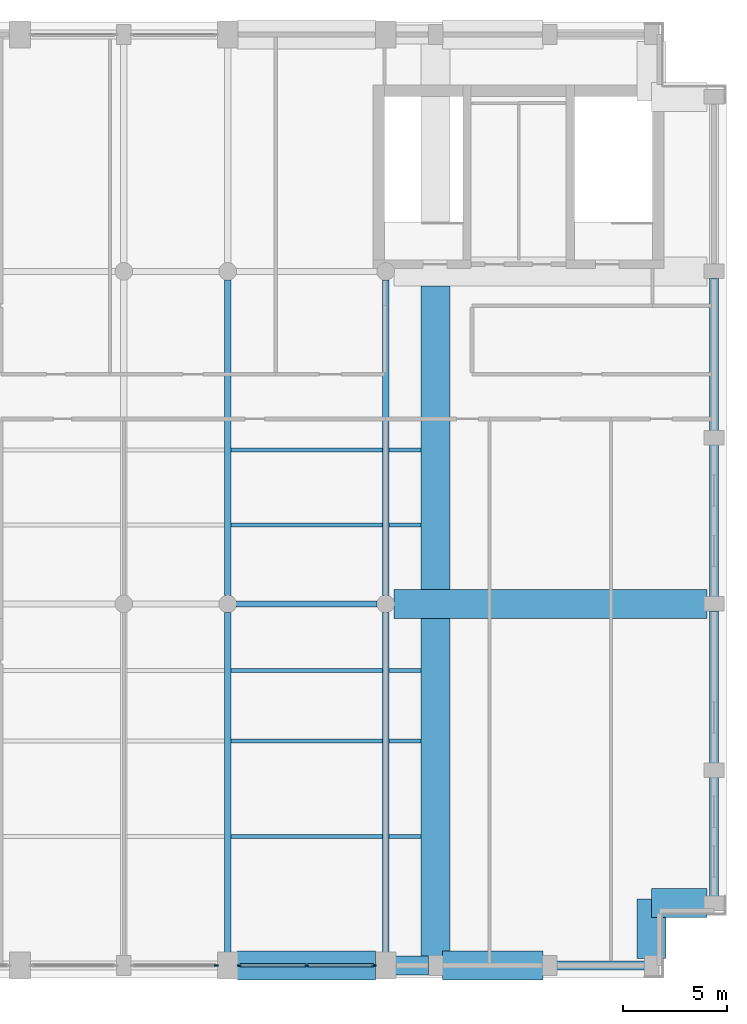
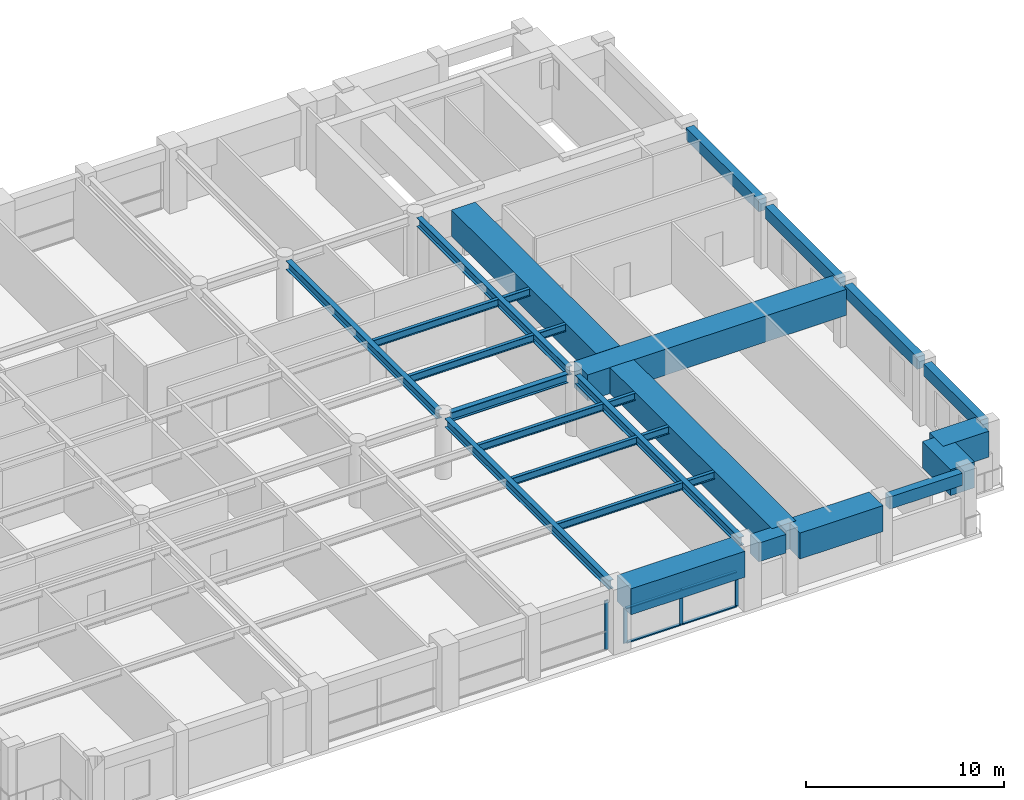
# One storey, part 4 of 14: 28 beams, 8 members, 2 elements without a shape of their own.
"""IFC4 building model written with IfcOpenShell, lengths in metres."""

from ifc_helpers import new_model, si_unit, direction, frame, origin, origin_2d, place, context, subcontext, project, spatial, rectangle, i_section, extrude, material, layer, layer_set, material_profile, profile_set, type_object, element, aggregate, save


model = new_model("IFC4")

# Units and contexts
model_context = context("Model", 3, precision=1e-05, world=origin(), true_north=direction((0.0, 1.0)))
body_context = subcontext(model_context, "Body", "Model", "MODEL_VIEW")
ifc_project = project(units=[si_unit("LENGTHUNIT", "METRE"), si_unit("AREAUNIT", "SQUARE_METRE"), si_unit("VOLUMEUNIT", "CUBIC_METRE"), si_unit("PLANEANGLEUNIT", "RADIAN"), si_unit("MASSUNIT", "GRAM", prefix="KILO")], contexts=[model_context])

# Site, building, storey
site_placement = place(None, origin())
site = spatial("IfcSite", under=ifc_project, at=site_placement, CompositionType="ELEMENT")
building_placement = place(site_placement, origin())
building = spatial("IfcBuilding", under=site, at=building_placement, Name="Sulina Concourse Tower", CompositionType="ELEMENT")
storey_placement = place(building_placement, frame((0.0, 0.0, 285.0)))
storey = spatial("IfcBuildingStorey", under=building, at=storey_placement, Name="L69", CompositionType="ELEMENT", Elevation=285.0)

# Beams
ifc_material_1 = material(Name="Steel S355", Category="steel")
ifc_material_profile_1 = material_profile(ifc_material_1, i_section(OverallWidth=0.18994140625, OverallDepth=0.449951171875, WebThickness=0.009521484375, FlangeThickness=0.0146484375, at=origin_2d()), Name="IPE 450")
ifc_profile_set_1 = profile_set([ifc_material_profile_1], Name="Steel S355")
beam_type_1 = type_object("IfcBeamType", Name="Composite Floor Joist IPE450", PredefinedType="JOIST", material=ifc_profile_set_1)
beam_1_placement = place(storey_placement, frame((34.14990234375, 6.800048828125, 3.550048828125), z_axis=(1.0, 0.0, 0.0), x_axis=(0.0, 1.0, 0.0)))
element("IfcBeam", 1, at=beam_1_placement, inside=storey, type_object=beam_type_1, Name="FJ-J06-4-L69", PredefinedType="JOIST", context=body_context, shape_type="SweptSolid", body=[
    extrude(i_section(OverallWidth=0.18994140625, OverallDepth=0.449951171875, WebThickness=0.009521484375, FlangeThickness=0.0146484375, at=origin_2d()), origin(), (0.0, 0.0, 1.0), 7.300048828125),
])
beam_2_placement = place(storey_placement, frame((41.75, 6.800048828125, 3.550048828125), z_axis=(1.0, 0.0, 0.0), x_axis=(0.0, 1.0, 0.0)))
element("IfcBeam", 2, at=beam_2_placement, inside=storey, type_object=beam_type_1, Name="FJ-J06-5-L69", PredefinedType="JOIST", context=body_context, shape_type="SweptSolid", body=[
    extrude(i_section(OverallWidth=0.18994140625, OverallDepth=0.449951171875, WebThickness=0.009521484375, FlangeThickness=0.0146484375, at=origin_2d()), origin(), (0.0, 0.0, 1.0), 1.550048828125),
])
beam_3_placement = place(storey_placement, frame((34.14990234375, 11.39990234375, 3.550048828125), z_axis=(1.0, 0.0, 0.0), x_axis=(0.0, 1.0, 0.0)))
element("IfcBeam", 3, at=beam_3_placement, inside=storey, type_object=beam_type_1, Name="FJ-J11-4-L69", PredefinedType="JOIST", context=body_context, shape_type="SweptSolid", body=[
    extrude(i_section(OverallWidth=0.18994140625, OverallDepth=0.449951171875, WebThickness=0.009521484375, FlangeThickness=0.0146484375, at=origin_2d()), origin(), (0.0, 0.0, 1.0), 7.300048828125),
])
beam_4_placement = place(storey_placement, frame((41.75, 11.39990234375, 3.550048828125), z_axis=(1.0, 0.0, 0.0), x_axis=(0.0, 1.0, 0.0)))
element("IfcBeam", 4, at=beam_4_placement, inside=storey, type_object=beam_type_1, Name="FJ-J11-5-L69", PredefinedType="JOIST", context=body_context, shape_type="SweptSolid", body=[
    extrude(i_section(OverallWidth=0.18994140625, OverallDepth=0.449951171875, WebThickness=0.009521484375, FlangeThickness=0.0146484375, at=origin_2d()), origin(), (0.0, 0.0, 1.0), 1.550048828125),
])
beam_5_placement = place(storey_placement, frame((34.14990234375, 14.800048828125, 3.550048828125), z_axis=(1.0, 0.0, 0.0), x_axis=(0.0, 1.0, 0.0)))
element("IfcBeam", 5, at=beam_5_placement, inside=storey, type_object=beam_type_1, Name="FJ-J15-4-L69", PredefinedType="JOIST", context=body_context, shape_type="SweptSolid", body=[
    extrude(i_section(OverallWidth=0.18994140625, OverallDepth=0.449951171875, WebThickness=0.009521484375, FlangeThickness=0.0146484375, at=origin_2d()), origin(), (0.0, 0.0, 1.0), 7.300048828125),
])
beam_6_placement = place(storey_placement, frame((41.75, 14.800048828125, 3.550048828125), z_axis=(1.0, 0.0, 0.0), x_axis=(0.0, 1.0, 0.0)))
element("IfcBeam", 6, at=beam_6_placement, inside=storey, type_object=beam_type_1, Name="FJ-J15-5-L69", PredefinedType="JOIST", context=body_context, shape_type="SweptSolid", body=[
    extrude(i_section(OverallWidth=0.18994140625, OverallDepth=0.449951171875, WebThickness=0.009521484375, FlangeThickness=0.0146484375, at=origin_2d()), origin(), (0.0, 0.0, 1.0), 1.550048828125),
])
beam_7_placement = place(storey_placement, frame((34.14990234375, 21.800048828125, 3.550048828125), z_axis=(1.0, 0.0, 0.0), x_axis=(0.0, 1.0, 0.0)))
element("IfcBeam", 7, at=beam_7_placement, inside=storey, type_object=beam_type_1, Name="FJ-J22-4-L69", PredefinedType="JOIST", context=body_context, shape_type="SweptSolid", body=[
    extrude(i_section(OverallWidth=0.18994140625, OverallDepth=0.449951171875, WebThickness=0.009521484375, FlangeThickness=0.0146484375, at=origin_2d()), origin(), (0.0, 0.0, 1.0), 7.300048828125),
])
beam_8_placement = place(storey_placement, frame((41.75, 21.800048828125, 3.550048828125), z_axis=(1.0, 0.0, 0.0), x_axis=(0.0, 1.0, 0.0)))
element("IfcBeam", 8, at=beam_8_placement, inside=storey, type_object=beam_type_1, Name="FJ-J22-5-L69", PredefinedType="JOIST", context=body_context, shape_type="SweptSolid", body=[
    extrude(i_section(OverallWidth=0.18994140625, OverallDepth=0.449951171875, WebThickness=0.009521484375, FlangeThickness=0.0146484375, at=origin_2d()), origin(), (0.0, 0.0, 1.0), 1.550048828125),
])
beam_9_placement = place(storey_placement, frame((34.14990234375, 25.39990234375, 3.550048828125), z_axis=(1.0, 0.0, 0.0), x_axis=(0.0, 1.0, 0.0)))
element("IfcBeam", 9, at=beam_9_placement, inside=storey, type_object=beam_type_1, Name="FJ-J25-4-L69", PredefinedType="JOIST", context=body_context, shape_type="SweptSolid", body=[
    extrude(i_section(OverallWidth=0.18994140625, OverallDepth=0.449951171875, WebThickness=0.009521484375, FlangeThickness=0.0146484375, at=origin_2d()), origin(), (0.0, 0.0, 1.0), 7.300048828125),
])
beam_10_placement = place(storey_placement, frame((41.75, 25.39990234375, 3.550048828125), z_axis=(1.0, 0.0, 0.0), x_axis=(0.0, 1.0, 0.0)))
element("IfcBeam", 10, at=beam_10_placement, inside=storey, type_object=beam_type_1, Name="FJ-J25-5-L69", PredefinedType="JOIST", context=body_context, shape_type="SweptSolid", body=[
    extrude(i_section(OverallWidth=0.18994140625, OverallDepth=0.449951171875, WebThickness=0.009521484375, FlangeThickness=0.0146484375, at=origin_2d()), origin(), (0.0, 0.0, 1.0), 1.550048828125),
])
ifc_material_2 = material(Name="Steel S355", Category="steel")
ifc_material_profile_2 = material_profile(ifc_material_2, i_section(OverallWidth=0.300048828125, OverallDepth=0.550048828125, WebThickness=0.014892578125, FlangeThickness=0.029052734375, at=origin_2d()), Name="HE 550 B")
ifc_profile_set_2 = profile_set([ifc_material_profile_2], Name="Steel S355")
beam_type_2 = type_object("IfcBeamType", Name="Floor Primary Girder Zone 4 HE550B", PredefinedType="BEAM", material=ifc_profile_set_2)
beam_11_placement = place(storey_placement, frame((34.405029296875, 18.0, 3.5), z_axis=(1.0, 0.0, 0.0), x_axis=(0.0, 1.0, 0.0)))
element("IfcBeam", 11, at=beam_11_placement, inside=storey, type_object=beam_type_2, Name="FG-EW4-L69", PredefinedType="BEAM", context=body_context, shape_type="SweptSolid", body=[
    extrude(i_section(OverallWidth=0.300048828125, OverallDepth=0.550048828125, WebThickness=0.014892578125, FlangeThickness=0.029052734375, at=origin_2d()), origin(), (0.0, 0.0, 1.0), 6.7900390625),
])
beam_12_placement = place(storey_placement, frame((34.0, 1.080078125, 3.5), z_axis=(0.0, 1.0, 0.0), x_axis=(-1.0, 0.0, 0.0)))
element("IfcBeam", 12, at=beam_12_placement, inside=storey, type_object=beam_type_2, Name="FG-NSA-34-L69", PredefinedType="BEAM", context=body_context, shape_type="SweptSolid", body=[
    extrude(i_section(OverallWidth=0.300048828125, OverallDepth=0.550048828125, WebThickness=0.014892578125, FlangeThickness=0.029052734375, at=origin_2d()), origin(), (0.0, 0.0, 1.0), 16.514892578125),
])
beam_13_placement = place(storey_placement, frame((34.0, 18.405029296875, 3.5), z_axis=(0.0, 1.0, 0.0), x_axis=(-1.0, 0.0, 0.0)))
element("IfcBeam", 13, at=beam_13_placement, inside=storey, type_object=beam_type_2, Name="FG-NSB-34-L69", PredefinedType="BEAM", context=body_context, shape_type="SweptSolid", body=[
    extrude(i_section(OverallWidth=0.300048828125, OverallDepth=0.550048828125, WebThickness=0.014892578125, FlangeThickness=0.029052734375, at=origin_2d()), origin(), (0.0, 0.0, 1.0), 15.18994140625),
])
beam_14_placement = place(storey_placement, frame((41.60009765625, 1.080078125, 3.5), z_axis=(0.0, 1.0, 0.0), x_axis=(-1.0, 0.0, 0.0)))
element("IfcBeam", 14, at=beam_14_placement, inside=storey, type_object=beam_type_2, Name="FG-NSA-41-L69", PredefinedType="BEAM", context=body_context, shape_type="SweptSolid", body=[
    extrude(i_section(OverallWidth=0.300048828125, OverallDepth=0.550048828125, WebThickness=0.014892578125, FlangeThickness=0.029052734375, at=origin_2d()), origin(), (0.0, 0.0, 1.0), 16.514892578125),
])
beam_15_placement = place(storey_placement, frame((41.60009765625, 18.405029296875, 3.5), z_axis=(0.0, 1.0, 0.0), x_axis=(-1.0, 0.0, 0.0)))
element("IfcBeam", 15, at=beam_15_placement, inside=storey, type_object=beam_type_2, Name="FG-NSB-41-L69", PredefinedType="BEAM", context=body_context, shape_type="SweptSolid", body=[
    extrude(i_section(OverallWidth=0.300048828125, OverallDepth=0.550048828125, WebThickness=0.014892578125, FlangeThickness=0.029052734375, at=origin_2d()), origin(), (0.0, 0.0, 1.0), 15.18994140625),
])
ifc_material_3 = material(Name="Concrete C60/75", Category="concrete")
ifc_material_profile_3 = material_profile(ifc_material_3, rectangle(XDim=1.39990234375, YDim=1.60009765625, at=origin_2d()), Name="RC 1400x1600")
ifc_profile_set_3 = profile_set([ifc_material_profile_3], Name="Concrete C60/75")
beam_type_3 = type_object("IfcBeamType", Name="Perimeter & Step Transfer Girder 1400x1600", PredefinedType="BEAM", material=ifc_profile_set_3)
beam_16_placement = place(storey_placement, frame((34.47998046875, 0.60009765625, 2.97509765625), z_axis=(1.0, 0.0, 0.0), x_axis=(0.0, 1.0, 0.0)))
element("IfcBeam", 16, at=beam_16_placement, inside=storey, type_object=beam_type_3, Name="TG-CSTEP-S7-L69", PredefinedType="BEAM", context=body_context, shape_type="SweptSolid", body=[
    extrude(rectangle(XDim=1.39990234375, YDim=1.60009765625, at=origin_2d()), origin(), (0.0, 0.0, 1.0), 6.64013671875),
])
beam_17_placement = place(storey_placement, frame((44.330078125, 0.60009765625, 2.965087890625), z_axis=(1.0, 0.0, 0.0), x_axis=(0.0, 1.0, 0.0)))
element("IfcBeam", 17, at=beam_17_placement, inside=storey, type_object=beam_type_3, Name="TG-CSTEP-S9-L69", PredefinedType="BEAM", context=body_context, shape_type="SweptSolid", body=[
    extrude(rectangle(XDim=1.39990234375, YDim=1.60009765625, at=origin_2d()), origin(), (0.0, 0.0, 1.0), 4.83984375),
])
beam_18_placement = place(storey_placement, frame((54.39990234375, 3.60009765625, 2.965087890625), z_axis=(1.0, 0.0, 0.0), x_axis=(0.0, 1.0, 0.0)))
element("IfcBeam", 18, at=beam_18_placement, inside=storey, type_object=beam_type_3, Name="TIE-SE-L69", PredefinedType="BEAM", context=body_context, shape_type="SweptSolid", body=[
    extrude(rectangle(XDim=1.39990234375, YDim=1.60009765625, at=origin_2d()), origin(), (0.0, 0.0, 1.0), 2.670166015625),
])
beam_19_placement = place(storey_placement, frame((54.39990234375, 0.929931640625, 2.965087890625), z_axis=(0.0, 1.0, 0.0), x_axis=(-1.0, 0.0, 0.0)))
element("IfcBeam", 19, at=beam_19_placement, inside=storey, type_object=beam_type_3, Name="TIE-SES-L69", PredefinedType="BEAM", context=body_context, shape_type="SweptSolid", body=[
    extrude(rectangle(XDim=1.39990234375, YDim=1.60009765625, at=origin_2d()), origin(), (0.0, 0.0, 1.0), 2.8701171875),
])
beam_20_placement = place(storey_placement, frame((42.0048828125, 18.0, 2.965087890625), z_axis=(1.0, 0.0, 0.0), x_axis=(0.0, 1.0, 0.0)))
element("IfcBeam", 20, at=beam_20_placement, inside=storey, type_object=beam_type_3, Name="TG-EW-M5-L69", PredefinedType="BEAM", context=body_context, shape_type="SweptSolid", body=[
    extrude(rectangle(XDim=1.39990234375, YDim=1.60009765625, at=origin_2d()), origin(), (0.0, 0.0, 1.0), 15.065185546875),
])
beam_21_placement = place(storey_placement, frame((44.0, 0.929931640625, 2.97509765625), z_axis=(0.0, 1.0, 0.0), x_axis=(-1.0, 0.0, 0.0)))
element("IfcBeam", 21, at=beam_21_placement, inside=storey, type_object=beam_type_3, Name="TG-NS-S-44-L69", PredefinedType="BEAM", context=body_context, shape_type="SweptSolid", body=[
    extrude(rectangle(XDim=1.39990234375, YDim=1.60009765625, at=origin_2d()), origin(), (0.0, 0.0, 1.0), 16.3701171875),
])
beam_22_placement = place(storey_placement, frame((44.0, 18.699951171875, 2.97509765625), z_axis=(0.0, 1.0, 0.0), x_axis=(-1.0, 0.0, 0.0)))
element("IfcBeam", 22, at=beam_22_placement, inside=storey, type_object=beam_type_3, Name="TG-NS-M-44-L69", PredefinedType="BEAM", context=body_context, shape_type="SweptSolid", body=[
    extrude(rectangle(XDim=1.39990234375, YDim=1.60009765625, at=origin_2d()), origin(), (0.0, 0.0, 1.0), 14.60009765625),
])
ifc_material_4 = material(Name="Concrete C60/75", Category="concrete")
ifc_material_profile_4 = material_profile(ifc_material_4, rectangle(XDim=0.89990234375, YDim=1.14990234375, at=origin_2d()), Name="RC 900x1150")
ifc_profile_set_4 = profile_set([ifc_material_profile_4], Name="Concrete C60/75")
beam_type_4 = type_object("IfcBeamType", Name="Short-Span Step Transfer Beam 900x1150", PredefinedType="BEAM", material=ifc_profile_set_4)
beam_23_placement = place(storey_placement, frame((42.080078125, 0.60009765625, 3.199951171875), z_axis=(1.0, 0.0, 0.0), x_axis=(0.0, 1.0, 0.0)))
element("IfcBeam", 23, at=beam_23_placement, inside=storey, type_object=beam_type_4, Name="TG-CSTEP-S8-L69", PredefinedType="BEAM", context=body_context, shape_type="SweptSolid", body=[
    extrude(rectangle(XDim=0.89990234375, YDim=1.14990234375, at=origin_2d()), origin(), (0.0, 0.0, 1.0), 1.58984375),
])

# Curtain wall, member
ifc_material_5 = material(Name="Aluminium 6063-T6", Category="aluminium")
ifc_layer = layer(ifc_material_5, 0.22998046875)
ifc_layer_set = layer_set([ifc_layer], Name="Aluminium 6063-T6")
curtain_wall_type = type_object("IfcCurtainWallType", Name="Sky-Pool Wellness Lounge Curtain Wall System", PredefinedType="NOTDEFINED", material=ifc_layer_set)
curtain_wall_1_placement = place(storey_placement, origin())
curtain_wall_1 = element("IfcCurtainWall", 24, at=curtain_wall_1_placement, inside=storey, type_object=curtain_wall_type, Name="L69 glazed curtain wall S6", PredefinedType="NOTDEFINED")
ifc_material_6 = material(Name="Aluminium 6063-T6", Category="aluminium")
ifc_material_profile_5 = material_profile(ifc_material_6, rectangle(XDim=0.068115234375, YDim=0.2099609375, at=origin_2d()), Name="MUL 68x210")
ifc_profile_set_5 = profile_set([ifc_material_profile_5], Name="Aluminium 6063-T6")
member_type_1 = type_object("IfcMemberType", Name="Sky-Pool Wellness Lounge Curtain Wall System Mullion 68x210", PredefinedType="MULLION", material=ifc_profile_set_5)
member_1_placement = place(storey_placement, frame((33.446044921875, 0.60009765625, 0.0), z_axis=(0.0, 0.0, 1.0), x_axis=(0.0, -1.0, 0.0)))
member_1 = element("IfcMember", 25, at=member_1_placement, type_object=member_type_1, Name="CW-05 mullion 1", PredefinedType="MULLION", context=body_context, shape_type="SweptSolid", body=[
    extrude(rectangle(XDim=0.068115234375, YDim=0.2099609375, at=origin_2d()), origin(), (0.0, 0.0, 1.0), 3.02490234375),
])
aggregate(curtain_wall_1, [member_1])

# Curtain wall, members
curtain_wall_2_placement = place(storey_placement, origin())
curtain_wall_2 = element("IfcCurtainWall", 26, at=curtain_wall_2_placement, inside=storey, type_object=curtain_wall_type, Name="L69 glazed curtain wall S7", PredefinedType="NOTDEFINED")
member_2_placement = place(storey_placement, frame((41.0458984375, 0.60009765625, 0.0), z_axis=(0.0, 0.0, 1.0), x_axis=(0.0, -1.0, 0.0)))
member_2 = element("IfcMember", 27, at=member_2_placement, type_object=member_type_1, Name="CW-05 mullion 1", PredefinedType="MULLION", context=body_context, shape_type="SweptSolid", body=[
    extrude(rectangle(XDim=0.068115234375, YDim=0.2099609375, at=origin_2d()), origin(), (0.0, 0.0, 1.0), 2.175048828125),
])
member_3_placement = place(storey_placement, frame((37.800048828125, 0.60009765625, 0.0), z_axis=(0.0, 0.0, 1.0), x_axis=(0.0, -1.0, 0.0)))
member_3 = element("IfcMember", 28, at=member_3_placement, type_object=member_type_1, Name="CW-05 mullion 2", PredefinedType="MULLION", context=body_context, shape_type="SweptSolid", body=[
    extrude(rectangle(XDim=0.068115234375, YDim=0.2099609375, at=origin_2d()), origin(), (0.0, 0.0, 1.0), 2.175048828125),
])
member_4_placement = place(storey_placement, frame((34.553955078125, 0.60009765625, 0.0), z_axis=(0.0, 0.0, 1.0), x_axis=(0.0, -1.0, 0.0)))
member_4 = element("IfcMember", 29, at=member_4_placement, type_object=member_type_1, Name="CW-05 mullion 3", PredefinedType="MULLION", context=body_context, shape_type="SweptSolid", body=[
    extrude(rectangle(XDim=0.068115234375, YDim=0.2099609375, at=origin_2d()), origin(), (0.0, 0.0, 1.0), 2.175048828125),
])
ifc_material_7 = material(Name="Aluminium 6063-T6", Category="aluminium")
ifc_material_profile_6 = material_profile(ifc_material_7, rectangle(XDim=0.169921875, YDim=0.068115234375, at=origin_2d()), Name="TRN 68x170")
ifc_profile_set_6 = profile_set([ifc_material_profile_6], Name="Aluminium 6063-T6")
member_type_2 = type_object("IfcMemberType", Name="Sky-Pool Wellness Lounge Curtain Wall System Transom 68x170", PredefinedType="USERDEFINED", material=ifc_profile_set_6)
member_5_placement = place(storey_placement, frame((41.011962890625, 0.60009765625, 0.033935546875), z_axis=(-1.0, 0.0, 0.0), x_axis=(0.0, -1.0, 0.0)))
member_5 = element("IfcMember", 30, at=member_5_placement, type_object=member_type_2, Name="CW-05 transom 1.1", ObjectType="TRANSOM", PredefinedType="USERDEFINED", context=body_context, shape_type="SweptSolid", body=[
    extrude(rectangle(XDim=0.169921875, YDim=0.068115234375, at=origin_2d()), origin(), (0.0, 0.0, 1.0), 3.177978515625),
])
member_6_placement = place(storey_placement, frame((41.011962890625, 0.60009765625, 2.14111328125), z_axis=(-1.0, 0.0, 0.0), x_axis=(0.0, -1.0, 0.0)))
member_6 = element("IfcMember", 31, at=member_6_placement, type_object=member_type_2, Name="CW-05 transom 1.2", ObjectType="TRANSOM", PredefinedType="USERDEFINED", context=body_context, shape_type="SweptSolid", body=[
    extrude(rectangle(XDim=0.169921875, YDim=0.068115234375, at=origin_2d()), origin(), (0.0, 0.0, 1.0), 3.177978515625),
])
member_7_placement = place(storey_placement, frame((37.76611328125, 0.60009765625, 0.033935546875), z_axis=(-1.0, 0.0, 0.0), x_axis=(0.0, -1.0, 0.0)))
member_7 = element("IfcMember", 32, at=member_7_placement, type_object=member_type_2, Name="CW-05 transom 2.1", ObjectType="TRANSOM", PredefinedType="USERDEFINED", context=body_context, shape_type="SweptSolid", body=[
    extrude(rectangle(XDim=0.169921875, YDim=0.068115234375, at=origin_2d()), origin(), (0.0, 0.0, 1.0), 3.17822265625),
])
member_8_placement = place(storey_placement, frame((37.76611328125, 0.60009765625, 2.14111328125), z_axis=(-1.0, 0.0, 0.0), x_axis=(0.0, -1.0, 0.0)))
member_8 = element("IfcMember", 33, at=member_8_placement, type_object=member_type_2, Name="CW-05 transom 2.2", ObjectType="TRANSOM", PredefinedType="USERDEFINED", context=body_context, shape_type="SweptSolid", body=[
    extrude(rectangle(XDim=0.169921875, YDim=0.068115234375, at=origin_2d()), origin(), (0.0, 0.0, 1.0), 3.17822265625),
])
aggregate(curtain_wall_2, [member_2, member_3, member_4, member_5, member_6, member_7, member_8])

# Beams
ifc_material_8 = material(Name="Precast concrete C50/60", Category="concrete")
ifc_material_profile_7 = material_profile(ifc_material_8, rectangle(XDim=0.449951171875, YDim=0.75, at=origin_2d()), Name="RC 450x750")
ifc_profile_set_7 = profile_set([ifc_material_profile_7], Name="Precast concrete C50/60")
beam_type_5 = type_object("IfcBeamType", Name="Upper Precast Spandrel Edge Beam 450x750", PredefinedType="BEAM", material=ifc_profile_set_7)
beam_24_placement = place(storey_placement, frame((49.830078125, 0.60009765625, 3.389892578125), z_axis=(1.0, 0.0, 0.0), x_axis=(0.0, 1.0, 0.0)))
element("IfcBeam", 34, at=beam_24_placement, inside=storey, type_object=beam_type_5, Name="SP-S10-L69", PredefinedType="BEAM", context=body_context, shape_type="SweptSolid", body=[
    extrude(rectangle(XDim=0.449951171875, YDim=0.75, at=origin_2d()), origin(), (0.0, 0.0, 1.0), 4.239990234375),
])
beam_25_placement = place(storey_placement, frame((57.39990234375, 3.929931640625, 3.389892578125), z_axis=(0.0, 1.0, 0.0), x_axis=(-1.0, 0.0, 0.0)))
element("IfcBeam", 35, at=beam_25_placement, inside=storey, type_object=beam_type_5, Name="SP-E1-L69", PredefinedType="BEAM", context=body_context, shape_type="SweptSolid", body=[
    extrude(rectangle(XDim=0.449951171875, YDim=0.75, at=origin_2d()), origin(), (0.0, 0.0, 1.0), 5.739990234375),
])
for number, where, z_axis, x_axis, name in (
    (36, (57.39990234375, 10.330078125, 3.389892578125), (0.0, 1.0, 0.0), (-1.0, 0.0, 0.0), "SP-E2-L69"),
    (37, (57.39990234375, 18.330078125, 3.389892578125), (0.0, 1.0, 0.0), (-1.0, 0.0, 0.0), "SP-E3-L69"),
    (38, (57.39990234375, 26.330078125, 3.389892578125), (0.0, 1.0, 0.0), (-1.0, 0.0, 0.0), "SP-E4-L69"),
):
    element("IfcBeam", number, at=place(storey_placement, frame(where, z_axis=z_axis, x_axis=x_axis)), inside=storey, type_object=beam_type_5, Name=name, PredefinedType="BEAM", context=body_context, shape_type="SweptSolid", body=[
        extrude(rectangle(XDim=0.449951171875, YDim=0.75, at=origin_2d()), origin(), (0.0, 0.0, 1.0), 7.33984375),
    ])

save(model, "model.ifc")
